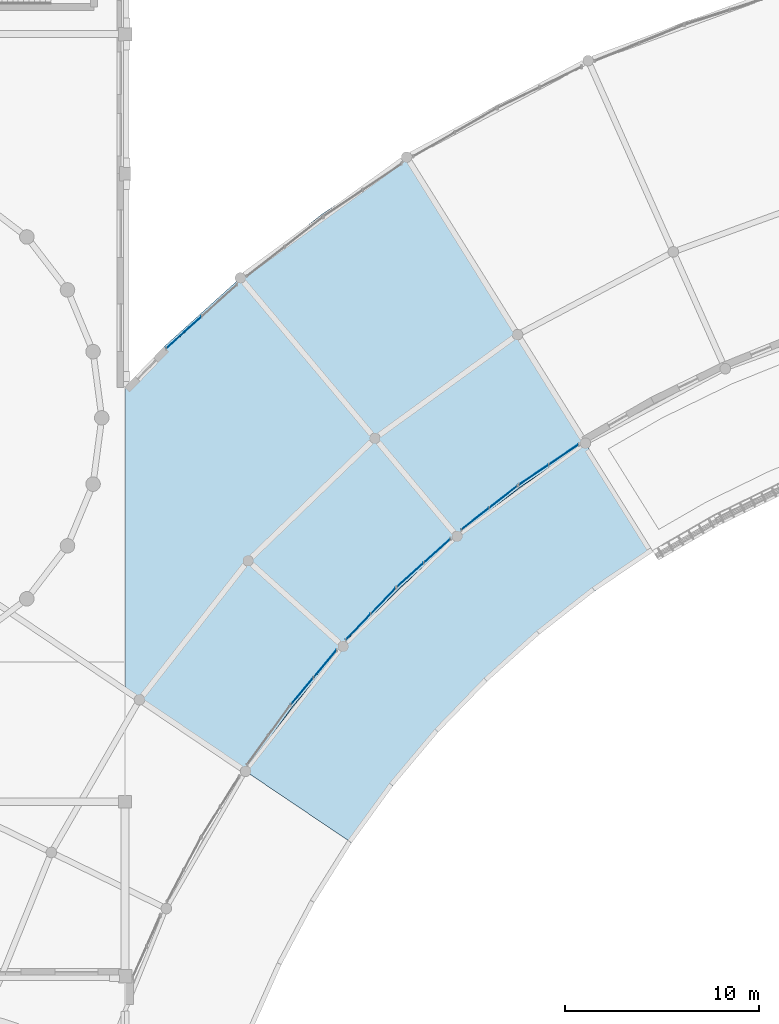
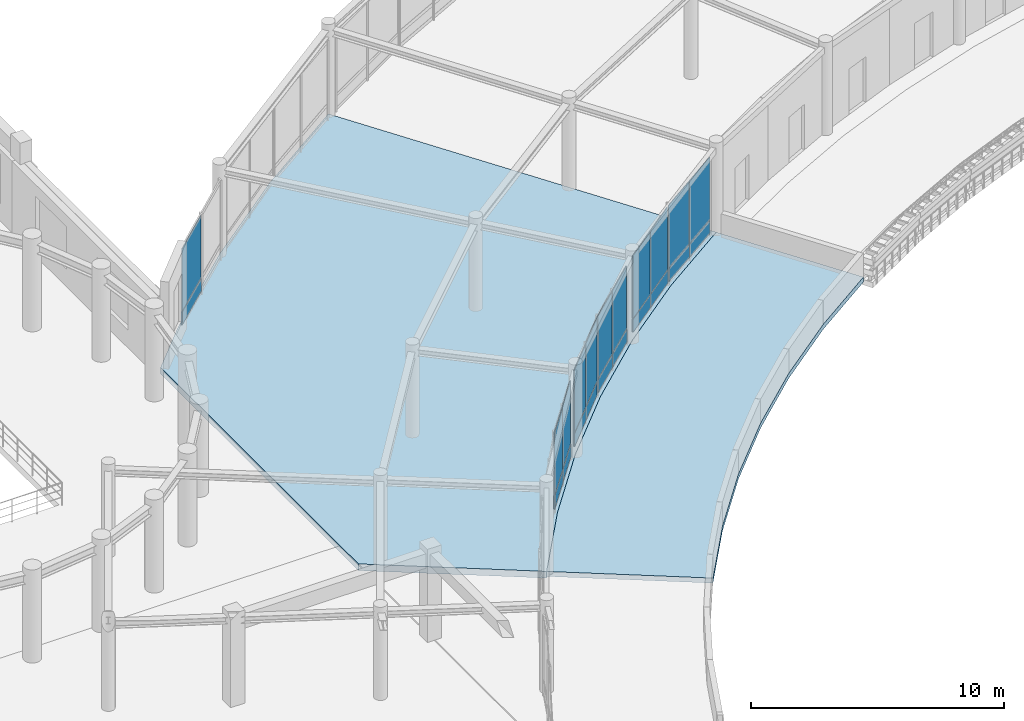
# One storey, part 31 of 62: 22 plates, 2 slabs, 6 elements without a shape of their own.
"""IFC4 building model written with IfcOpenShell, lengths in metres."""

from ifc_helpers import new_model, si_unit, direction, frame, frame_2d, origin, place, context, subcontext, project, spatial, polyline, rectangle, outline, extrude, material, layer, layer_set, type_object, element, aggregate, save


model = new_model("IFC4")

# Units and contexts
model_context = context("Model", 3, precision=1e-05, world=origin(), true_north=direction((0.0, 1.0)))
body_context = subcontext(model_context, "Body", "Model", "MODEL_VIEW")
ifc_project = project(units=[si_unit("LENGTHUNIT", "METRE"), si_unit("AREAUNIT", "SQUARE_METRE"), si_unit("VOLUMEUNIT", "CUBIC_METRE"), si_unit("PLANEANGLEUNIT", "RADIAN"), si_unit("MASSUNIT", "GRAM", prefix="KILO")], contexts=[model_context])

# Site, building, storey
site_placement = place(None, origin())
site = spatial("IfcSite", under=ifc_project, at=site_placement, CompositionType="ELEMENT")
building_placement = place(site_placement, origin())
building = spatial("IfcBuilding", under=site, at=building_placement, Name="Clarverna Civic Hall", CompositionType="ELEMENT")
storey_placement = place(building_placement, frame((0.0, 0.0, 5.10009765625)))
storey = spatial("IfcBuildingStorey", under=building, at=storey_placement, Name="L01", CompositionType="ELEMENT", Elevation=5.10009765625)

# Curtain wall, plate
ifc_material_1 = material(Name="Anodised Bronze Architectural Aluminium", Category="aluminium")
curtain_wall_type = type_object("IfcCurtainWallType", Name="CW-03", PredefinedType="USERDEFINED", material=ifc_material_1)
curtain_wall_1_placement = place(storey_placement, origin())
curtain_wall_1 = element("IfcCurtainWall", 1, at=curtain_wall_1_placement, inside=storey, type_object=curtain_wall_type, Name="CW-03-027", ObjectType="UNITISED CURTAIN WALL", PredefinedType="USERDEFINED")
ifc_material_2 = material(Name="Solar-Control Argon Low-E Double Glazing", Category="glass")
ifc_layer_1 = layer(ifc_material_2, 0.031982421875)
ifc_layer_set_1 = layer_set([ifc_layer_1], Name="Solar-Control Argon Low-E Double Glazing")
plate_type_1 = type_object("IfcPlateType", Name="CWP-01", PredefinedType="CURTAIN_PANEL", material=ifc_layer_set_1)
plate_1_placement = place(storey_placement, frame((99.335205078125, 62.597900390625, 0.764892578125), z_axis=(0.0, 0.0, 1.0), x_axis=(0.743179325849, 0.669092287827, 0.0)))
plate_1 = element("IfcPlate", 2, at=plate_1_placement, type_object=plate_type_1, Name="CWP-01-132", PredefinedType="CURTAIN_PANEL", context=body_context, shape_type="SweptSolid", body=[
    extrude(rectangle(XDim=2.431884765625, YDim=0.031982421875, at=frame_2d((1.2158203125, 0.0))), origin(), (0.0, 0.0, 1.0), 3.014892578125),
])

# Curtain wall, plates
curtain_wall_2_placement = place(storey_placement, origin())
curtain_wall_2 = element("IfcCurtainWall", 3, at=curtain_wall_2_placement, inside=storey, type_object=curtain_wall_type, Name="CW-03-039", ObjectType="UNITISED CURTAIN WALL", PredefinedType="USERDEFINED")
plate_2_placement = place(storey_placement, frame((120.591796875, 57.625, 0.764892578125), z_axis=(0.0, 0.0, 1.0), x_axis=(-0.829097886534, -0.559103473916, 0.0)))
plate_2 = element("IfcPlate", 4, at=plate_2_placement, type_object=plate_type_1, Name="CWP-01-156", PredefinedType="CURTAIN_PANEL", context=body_context, shape_type="SweptSolid", body=[
    extrude(rectangle(XDim=1.839111328125, YDim=0.031982421875, at=frame_2d((0.91943359375, 0.0))), origin(), (0.0, 0.0, 1.0), 3.034912109375),
])
plate_3_placement = place(storey_placement, frame((119.042236328125, 56.579833984375, 0.764892578125), z_axis=(0.0, 0.0, 1.0), x_axis=(-0.829097886534, -0.559103473916, 0.0)))
plate_3 = element("IfcPlate", 5, at=plate_3_placement, type_object=plate_type_1, Name="CWP-01-157", PredefinedType="CURTAIN_PANEL", context=body_context, shape_type="SweptSolid", body=[
    extrude(rectangle(XDim=1.839111328125, YDim=0.031982421875, at=frame_2d((0.91943359375, 0.0))), origin(), (0.0, 0.0, 1.0), 3.034912109375),
])

curtain_wall_3_placement = place(storey_placement, origin())
curtain_wall_3 = element("IfcCurtainWall", 6, at=curtain_wall_3_placement, inside=storey, type_object=curtain_wall_type, Name="CW-03-040", ObjectType="UNITISED CURTAIN WALL", PredefinedType="USERDEFINED")
plate_4_placement = place(storey_placement, frame((117.431884765625, 55.4892578125, 0.764892578125), z_axis=(0.0, 0.0, 1.0), x_axis=(-0.788003993397, -0.615670127902, 0.0)))
plate_4 = element("IfcPlate", 7, at=plate_4_placement, type_object=plate_type_1, Name="CWP-01-158", PredefinedType="CURTAIN_PANEL", context=body_context, shape_type="SweptSolid", body=[
    extrude(rectangle(XDim=1.816162109375, YDim=0.031982421875, at=frame_2d((0.908203125, 0.0))), origin(), (0.0, 0.0, 1.0), 3.034912109375),
])
plate_5_placement = place(storey_placement, frame((115.977294921875, 54.352783203125, 0.764892578125), z_axis=(0.0, 0.0, 1.0), x_axis=(-0.788003993397, -0.615670127902, 0.0)))
plate_5 = element("IfcPlate", 8, at=plate_5_placement, type_object=plate_type_1, Name="CWP-01-159", PredefinedType="CURTAIN_PANEL", context=body_context, shape_type="SweptSolid", body=[
    extrude(rectangle(XDim=1.816162109375, YDim=0.031982421875, at=frame_2d((0.908203125, 0.0))), origin(), (0.0, 0.0, 1.0), 3.034912109375),
])

curtain_wall_4_placement = place(storey_placement, origin())
curtain_wall_4 = element("IfcCurtainWall", 9, at=curtain_wall_4_placement, inside=storey, type_object=curtain_wall_type, Name="CW-03-041", ObjectType="UNITISED CURTAIN WALL", PredefinedType="USERDEFINED")
plate_6_placement = place(storey_placement, frame((113.98193359375, 52.7626953125, 0.764892578125), z_axis=(0.0, 0.0, 1.0), x_axis=(-0.743161684399, -0.669111882155, 0.0)))
plate_6 = element("IfcPlate", 10, at=plate_6_placement, type_object=plate_type_1, Name="CWP-01-160", PredefinedType="CURTAIN_PANEL", context=body_context, shape_type="SweptSolid", body=[
    extrude(rectangle(XDim=1.8330078125, YDim=0.031982421875, at=frame_2d((0.91650390625, 0.0))), origin(), (0.0, 0.0, 1.0), 3.034912109375),
])
plate_7_placement = place(storey_placement, frame((112.597412109375, 51.51611328125, 0.764892578125), z_axis=(0.0, 0.0, 1.0), x_axis=(-0.743155086701, -0.66911920994, 0.0)))
plate_7 = element("IfcPlate", 11, at=plate_7_placement, type_object=plate_type_1, Name="CWP-01-161", PredefinedType="CURTAIN_PANEL", context=body_context, shape_type="SweptSolid", body=[
    extrude(rectangle(XDim=1.83349609375, YDim=0.031982421875, at=frame_2d((0.916748046875, 0.0))), origin(), (0.0, 0.0, 1.0), 3.034912109375),
])

curtain_wall_5_placement = place(storey_placement, origin())
curtain_wall_5 = element("IfcCurtainWall", 12, at=curtain_wall_5_placement, inside=storey, type_object=curtain_wall_type, Name="CW-03-042", ObjectType="UNITISED CURTAIN WALL", PredefinedType="USERDEFINED")
plate_8_placement = place(storey_placement, frame((111.158935546875, 50.216064453125, 0.764892578125), z_axis=(0.0, 0.0, 1.0), x_axis=(-0.694663528567, -0.719334819176, 0.0)))
plate_8 = element("IfcPlate", 13, at=plate_8_placement, type_object=plate_type_1, Name="CWP-01-162", PredefinedType="CURTAIN_PANEL", context=body_context, shape_type="SweptSolid", body=[
    extrude(rectangle(XDim=1.830810546875, YDim=0.031982421875, at=frame_2d((0.91552734375, 0.0))), origin(), (0.0, 0.0, 1.0), 3.034912109375),
])
plate_9_placement = place(storey_placement, frame((109.8662109375, 48.877685546875, 0.764892578125), z_axis=(0.0, 0.0, 1.0), x_axis=(-0.694596893401, -0.719399162967, 0.0)))
plate_9 = element("IfcPlate", 14, at=plate_9_placement, type_object=plate_type_1, Name="CWP-01-163", PredefinedType="CURTAIN_PANEL", context=body_context, shape_type="SweptSolid", body=[
    extrude(rectangle(XDim=1.830810546875, YDim=0.031982421875, at=frame_2d((0.91552734375, 0.0))), origin(), (0.0, 0.0, 1.0), 3.034912109375),
])

curtain_wall_6_placement = place(storey_placement, origin())
curtain_wall_6 = element("IfcCurtainWall", 15, at=curtain_wall_6_placement, inside=storey, type_object=curtain_wall_type, Name="CW-03-043", ObjectType="UNITISED CURTAIN WALL", PredefinedType="USERDEFINED")
plate_10_placement = place(storey_placement, frame((108.10595703125, 47.0166015625, 0.764892578125), z_axis=(0.0, 0.0, 1.0), x_axis=(-0.642792560393, -0.766040288956, 0.0)))
plate_10 = element("IfcPlate", 16, at=plate_10_placement, type_object=plate_type_1, Name="CWP-01-164", PredefinedType="CURTAIN_PANEL", context=body_context, shape_type="SweptSolid", body=[
    extrude(rectangle(XDim=1.820556640625, YDim=0.031982421875, at=frame_2d((0.91015625, 0.0))), origin(), (0.0, 0.0, 1.0), 3.034912109375),
])
plate_11_placement = place(storey_placement, frame((106.91650390625, 45.59912109375, 0.764892578125), z_axis=(0.0, 0.0, 1.0), x_axis=(-0.64287124875, -0.76597425383, 0.0)))
plate_11 = element("IfcPlate", 17, at=plate_11_placement, type_object=plate_type_1, Name="CWP-01-165", PredefinedType="CURTAIN_PANEL", context=body_context, shape_type="SweptSolid", body=[
    extrude(rectangle(XDim=1.820556640625, YDim=0.031982421875, at=frame_2d((0.91015625, 0.0))), origin(), (0.0, 0.0, 1.0), 3.034912109375),
])

# Plate
ifc_material_3 = material(Name="Insulated Anodised Bronze Spandrel Panel", Category="aluminium")
ifc_layer_2 = layer(ifc_material_3, 0.048095703125)
ifc_layer_set_2 = layer_set([ifc_layer_2], Name="Insulated Anodised Bronze Spandrel Panel")
plate_type_2 = type_object("IfcPlateType", Name="CWP-03", PredefinedType="CURTAIN_PANEL", material=ifc_layer_set_2)
plate_12_placement = place(storey_placement, frame((99.335205078125, 62.597900390625, 0.10986328125), z_axis=(0.0, 0.0, 1.0), x_axis=(0.743179325849, 0.669092287827, 0.0)))
plate_12 = element("IfcPlate", 18, at=plate_12_placement, type_object=plate_type_2, Name="CWP-03-134", PredefinedType="CURTAIN_PANEL", context=body_context, shape_type="SweptSolid", body=[
    extrude(rectangle(XDim=2.431884765625, YDim=0.048095703125, at=frame_2d((1.2158203125, 0.0))), origin(), (0.0, 0.0, 1.0), 0.625),
])

aggregate(curtain_wall_1, [plate_12, plate_1])

plate_13_placement = place(storey_placement, frame((120.591796875, 57.625, 0.10986328125), z_axis=(0.0, 0.0, 1.0), x_axis=(-0.829097886534, -0.559103473916, 0.0)))
plate_13 = element("IfcPlate", 19, at=plate_13_placement, type_object=plate_type_2, Name="CWP-03-158", PredefinedType="CURTAIN_PANEL", context=body_context, shape_type="SweptSolid", body=[
    extrude(rectangle(XDim=1.839111328125, YDim=0.048095703125, at=frame_2d((0.91943359375, 0.0))), origin(), (0.0, 0.0, 1.0), 0.625),
])

plate_14_placement = place(storey_placement, frame((119.042236328125, 56.579833984375, 0.10986328125), z_axis=(0.0, 0.0, 1.0), x_axis=(-0.829097886534, -0.559103473916, 0.0)))
plate_14 = element("IfcPlate", 20, at=plate_14_placement, type_object=plate_type_2, Name="CWP-03-159", PredefinedType="CURTAIN_PANEL", context=body_context, shape_type="SweptSolid", body=[
    extrude(rectangle(XDim=1.839111328125, YDim=0.048095703125, at=frame_2d((0.91943359375, 0.0))), origin(), (0.0, 0.0, 1.0), 0.625),
])

aggregate(curtain_wall_2, [plate_13, plate_2, plate_14, plate_3])

plate_15_placement = place(storey_placement, frame((117.431884765625, 55.4892578125, 0.10986328125), z_axis=(0.0, 0.0, 1.0), x_axis=(-0.788003993397, -0.615670127902, 0.0)))
plate_15 = element("IfcPlate", 21, at=plate_15_placement, type_object=plate_type_2, Name="CWP-03-160", PredefinedType="CURTAIN_PANEL", context=body_context, shape_type="SweptSolid", body=[
    extrude(rectangle(XDim=1.816162109375, YDim=0.048095703125, at=frame_2d((0.908203125, 0.0))), origin(), (0.0, 0.0, 1.0), 0.625),
])

plate_16_placement = place(storey_placement, frame((115.977294921875, 54.352783203125, 0.10986328125), z_axis=(0.0, 0.0, 1.0), x_axis=(-0.788003993397, -0.615670127902, 0.0)))
plate_16 = element("IfcPlate", 22, at=plate_16_placement, type_object=plate_type_2, Name="CWP-03-161", PredefinedType="CURTAIN_PANEL", context=body_context, shape_type="SweptSolid", body=[
    extrude(rectangle(XDim=1.816162109375, YDim=0.048095703125, at=frame_2d((0.908203125, 0.0))), origin(), (0.0, 0.0, 1.0), 0.625),
])

aggregate(curtain_wall_3, [plate_15, plate_4, plate_16, plate_5])

plate_17_placement = place(storey_placement, frame((113.98193359375, 52.7626953125, 0.10986328125), z_axis=(0.0, 0.0, 1.0), x_axis=(-0.743161684399, -0.669111882155, 0.0)))
plate_17 = element("IfcPlate", 23, at=plate_17_placement, type_object=plate_type_2, Name="CWP-03-162", PredefinedType="CURTAIN_PANEL", context=body_context, shape_type="SweptSolid", body=[
    extrude(rectangle(XDim=1.8330078125, YDim=0.048095703125, at=frame_2d((0.91650390625, 0.0))), origin(), (0.0, 0.0, 1.0), 0.625),
])

plate_18_placement = place(storey_placement, frame((112.597412109375, 51.51611328125, 0.10986328125), z_axis=(0.0, 0.0, 1.0), x_axis=(-0.743155086701, -0.66911920994, 0.0)))
plate_18 = element("IfcPlate", 24, at=plate_18_placement, type_object=plate_type_2, Name="CWP-03-163", PredefinedType="CURTAIN_PANEL", context=body_context, shape_type="SweptSolid", body=[
    extrude(rectangle(XDim=1.83349609375, YDim=0.048095703125, at=frame_2d((0.916748046875, 0.0))), origin(), (0.0, 0.0, 1.0), 0.625),
])

aggregate(curtain_wall_4, [plate_17, plate_6, plate_18, plate_7])

plate_19_placement = place(storey_placement, frame((111.158935546875, 50.216064453125, 0.10986328125), z_axis=(0.0, 0.0, 1.0), x_axis=(-0.694663528567, -0.719334819176, 0.0)))
plate_19 = element("IfcPlate", 25, at=plate_19_placement, type_object=plate_type_2, Name="CWP-03-164", PredefinedType="CURTAIN_PANEL", context=body_context, shape_type="SweptSolid", body=[
    extrude(rectangle(XDim=1.830810546875, YDim=0.048095703125, at=frame_2d((0.91552734375, 0.0))), origin(), (0.0, 0.0, 1.0), 0.625),
])

plate_20_placement = place(storey_placement, frame((109.8662109375, 48.877685546875, 0.10986328125), z_axis=(0.0, 0.0, 1.0), x_axis=(-0.694596893401, -0.719399162967, 0.0)))
plate_20 = element("IfcPlate", 26, at=plate_20_placement, type_object=plate_type_2, Name="CWP-03-165", PredefinedType="CURTAIN_PANEL", context=body_context, shape_type="SweptSolid", body=[
    extrude(rectangle(XDim=1.830810546875, YDim=0.048095703125, at=frame_2d((0.91552734375, 0.0))), origin(), (0.0, 0.0, 1.0), 0.625),
])

aggregate(curtain_wall_5, [plate_19, plate_8, plate_20, plate_9])

plate_21_placement = place(storey_placement, frame((108.10595703125, 47.0166015625, 0.10986328125), z_axis=(0.0, 0.0, 1.0), x_axis=(-0.642792560393, -0.766040288956, 0.0)))
plate_21 = element("IfcPlate", 27, at=plate_21_placement, type_object=plate_type_2, Name="CWP-03-166", PredefinedType="CURTAIN_PANEL", context=body_context, shape_type="SweptSolid", body=[
    extrude(rectangle(XDim=1.820556640625, YDim=0.048095703125, at=frame_2d((0.91015625, 0.0))), origin(), (0.0, 0.0, 1.0), 0.625),
])

plate_22_placement = place(storey_placement, frame((106.91650390625, 45.59912109375, 0.10986328125), z_axis=(0.0, 0.0, 1.0), x_axis=(-0.64287124875, -0.76597425383, 0.0)))
plate_22 = element("IfcPlate", 28, at=plate_22_placement, type_object=plate_type_2, Name="CWP-03-167", PredefinedType="CURTAIN_PANEL", context=body_context, shape_type="SweptSolid", body=[
    extrude(rectangle(XDim=1.820556640625, YDim=0.048095703125, at=frame_2d((0.91015625, 0.0))), origin(), (0.0, 0.0, 1.0), 0.625),
])

aggregate(curtain_wall_6, [plate_21, plate_10, plate_22, plate_11])

# Slabs
ifc_material_4 = material(Name="Concrete C30/37", Category="concrete")
ifc_layer_3 = layer(ifc_material_4, 0.320068359375)
ifc_layer_set_3 = layer_set([ifc_layer_3], Name="Concrete C30/37")
slab_type_1 = type_object("IfcSlabType", Name="SL-FL2", PredefinedType="FLOOR", material=ifc_layer_set_3)
slab_1_placement = place(storey_placement, frame((0.0, 0.0, -0.320068359375)))
element("IfcSlab", 29, at=slab_1_placement, inside=storey, type_object=slab_type_1, Name="SL-FL2-005", PredefinedType="FLOOR", context=body_context, shape_type="SweptSolid", body=[
    extrude(outline(polyline([(114.33251953125, 52.89013671875), (117.555908203125, 55.408447265625), (120.94677734375, 57.695556640625), (111.72607421875, 72.45166015625), (107.328369140625, 69.4853515625), (103.148193359375, 66.219482421875), (99.2060546875, 62.669921875), (97.22509765625, 60.618408203125), (97.22509765625, 44.9462890625), (103.41845703125, 40.768798828125), (105.822509765625, 44.077880859375), (108.45166015625, 47.211181640625), (111.29296875, 50.1533203125), (114.33251953125, 52.89013671875)])), origin(), (0.0, 0.0, 1.0), 0.320068359375),
])
ifc_layer_4 = layer(ifc_material_4, 0.260009765625)
ifc_layer_set_4 = layer_set([ifc_layer_4], Name="Concrete C30/37")
slab_type_2 = type_object("IfcSlabType", Name="SL-RF1", PredefinedType="ROOF", material=ifc_layer_set_4)
slab_2_placement = place(storey_placement, frame((0.0, 0.0, -0.239990234375)))
element("IfcSlab", 30, at=slab_2_placement, inside=storey, type_object=slab_type_2, Name="SL-TR1-002", PredefinedType="ROOF", context=body_context, shape_type="SweptSolid", body=[
    extrude(outline(polyline([(118.574951171875, 47.834228515625), (121.435302734375, 50.06884765625), (124.444091796875, 52.098388671875), (120.94677734375, 57.695556640625), (117.555908203125, 55.408447265625), (114.33251953125, 52.89013671875), (111.29296875, 50.1533203125), (108.45166015625, 47.211181640625), (105.822509765625, 44.077880859375), (103.41845703125, 40.768798828125), (108.889892578125, 37.077880859375), (111.0234375, 40.014404296875), (113.3564453125, 42.794921875), (115.877685546875, 45.40576171875), (118.574951171875, 47.834228515625)])), origin(), (0.0, 0.0, 1.0), 0.239990234375),
])

save(model, "model.ifc")
